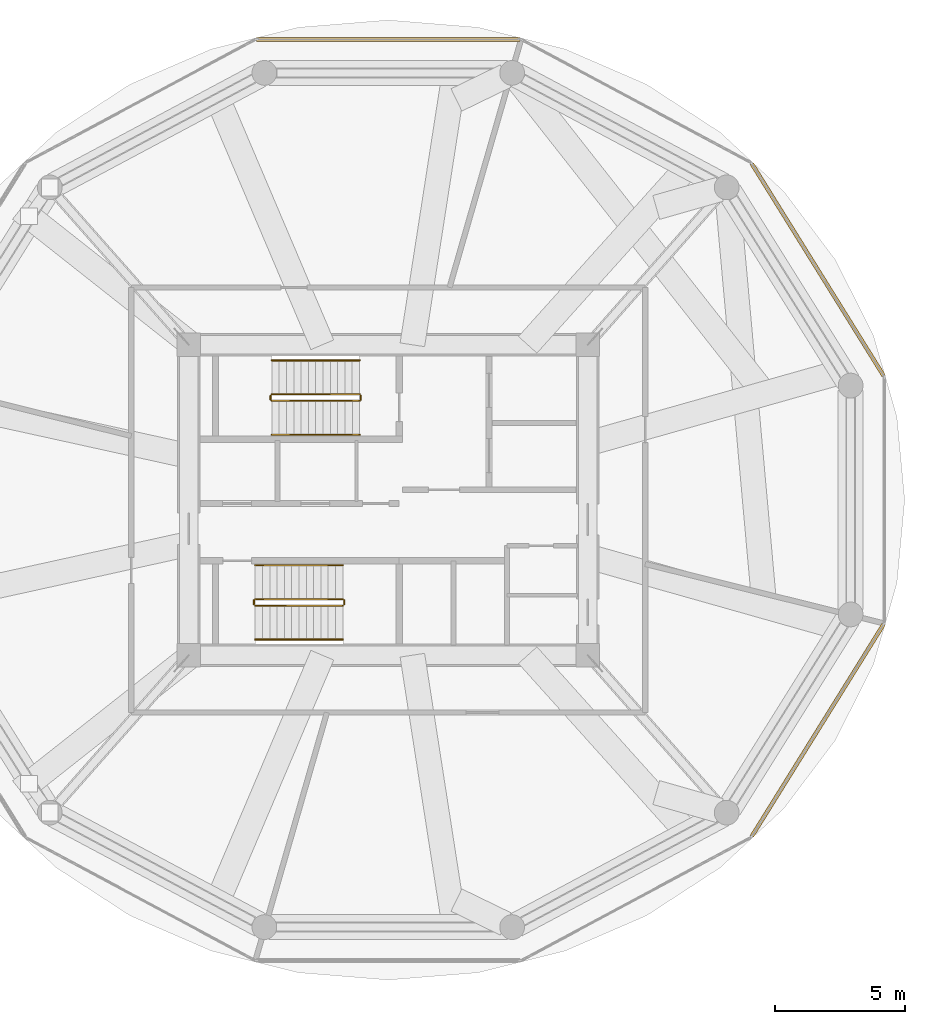
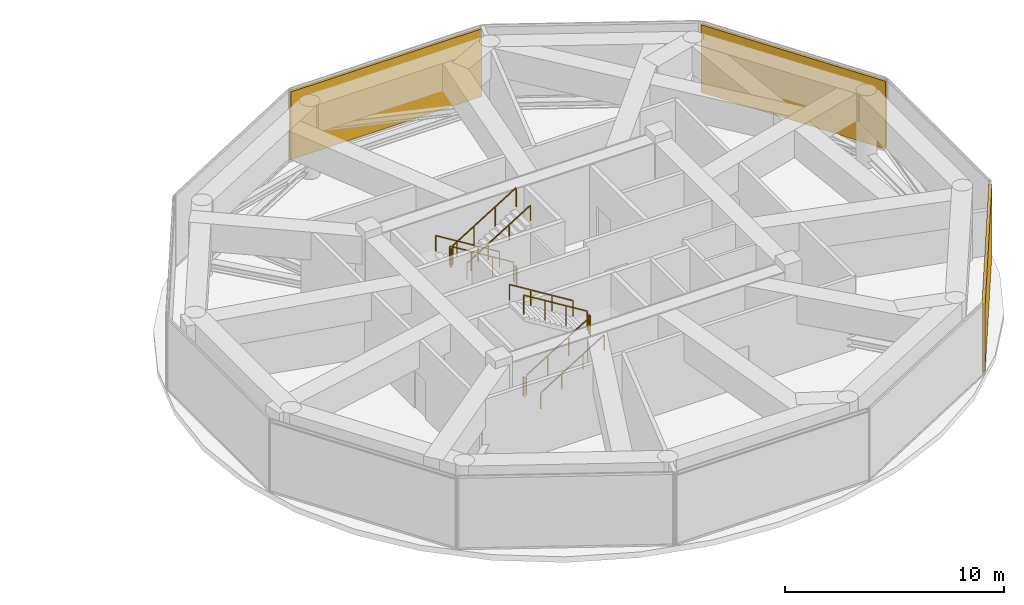
# One storey, part 22 of 22: 12 railings, 3 shading devices.
"""IFC4 building model written with IfcOpenShell, lengths in metres."""

from ifc_helpers import new_model, si_unit, direction, frame, origin, origin_2d, place, context, subcontext, project, spatial, rectangle, extrude, source, transform, mapped, material, type_object, type_shapes, element, save


model = new_model("IFC4")

# Units and contexts
model_context = context("Model", 3, precision=1e-05, world=origin(), true_north=direction((0.0, 1.0)))
body_context = subcontext(model_context, "Body", "Model", "MODEL_VIEW")
ifc_project = project(units=[si_unit("LENGTHUNIT", "METRE"), si_unit("AREAUNIT", "SQUARE_METRE"), si_unit("VOLUMEUNIT", "CUBIC_METRE"), si_unit("PLANEANGLEUNIT", "RADIAN"), si_unit("MASSUNIT", "GRAM", prefix="KILO")], contexts=[model_context])

# Site, building, storey
site_placement = place(None, origin())
site = spatial("IfcSite", under=ifc_project, at=site_placement, CompositionType="ELEMENT")
building_placement = place(site_placement, origin())
building = spatial("IfcBuilding", under=site, at=building_placement, Name="Norrkilde Senior Care Towers", CompositionType="ELEMENT")
storey_placement = place(building_placement, frame((0.0, 0.0, 73.449951171875)))
storey = spatial("IfcBuildingStorey", under=building, at=storey_placement, Name="L22", CompositionType="ELEMENT", Elevation=73.449951171875)

# Railings
ifc_material_1 = material(Name="Stainless Steel", Category="steel")
railing_type_1 = type_object("IfcRailingType", Name="Stair and Terrace Guardrail 1100", PredefinedType="GUARDRAIL", material=ifc_material_1)
railing_1_placement = place(storey_placement, frame((26.89990234375, 4.050048828125, 0.173095703125)))
element("IfcRailing", 1, at=railing_1_placement, inside=storey, type_object=railing_type_1, Name="L22 ST-E1 stair guard 1", PredefinedType="GUARDRAIL", context=body_context, shape_type="SweptSolid", body=[
    extrude(rectangle(XDim=0.048095703125, YDim=0.048095703125, at=origin_2d()), frame((0.0, 0.0, 1.076171875), z_axis=(-0.850606129759, 0.0, 0.525803396734), x_axis=(0.0, -1.0, 0.0)), (0.0, 0.0, 1.0), 3.949951171875),
    extrude(rectangle(XDim=0.0419921875, YDim=0.0419921875, at=origin_2d()), origin(), (0.0, 0.0, 1.0), 1.050048828125),
    extrude(rectangle(XDim=0.0419921875, YDim=0.0419921875, at=origin_2d()), frame((-1.119873046875, 0.0, 0.6923828125)), (0.0, 0.0, 1.0), 1.050048828125),
    extrude(rectangle(XDim=0.0419921875, YDim=0.0419921875, at=origin_2d()), frame((-2.239990234375, 0.0, 1.384521484375)), (0.0, 0.0, 1.0), 1.050048828125),
    extrude(rectangle(XDim=0.0419921875, YDim=0.0419921875, at=origin_2d()), frame((-3.35986328125, 0.0, 2.076904296875)), (0.0, 0.0, 1.0), 1.050048828125),
])
railing_2_placement = place(storey_placement, frame((23.489990234375, 4.0, 2.25)))
element("IfcRailing", 2, at=railing_2_placement, inside=storey, type_object=railing_type_1, Name="L22 ST-E1 stair guard 2", PredefinedType="GUARDRAIL", context=body_context, shape_type="SweptSolid", body=[
    extrude(rectangle(XDim=0.048095703125, YDim=0.048095703125, at=origin_2d()), frame((0.0, 0.0, 1.076171875), z_axis=(0.0, -1.0, 0.0), x_axis=(1.0, 0.0, 0.0)), (0.0, 0.0, 1.0), 0.14990234375),
    extrude(rectangle(XDim=0.0419921875, YDim=0.0419921875, at=origin_2d()), origin(), (0.0, 0.0, 1.0), 1.050048828125),
    extrude(rectangle(XDim=0.0419921875, YDim=0.0419921875, at=origin_2d()), frame((0.0, -0.14990234375, 0.0)), (0.0, 0.0, 1.0), 1.050048828125),
])
railing_3_placement = place(storey_placement, frame((23.5400390625, 3.800048828125, 2.423095703125)))
element("IfcRailing", 3, at=railing_3_placement, inside=storey, type_object=railing_type_1, Name="L22 ST-E1 stair guard 3", PredefinedType="GUARDRAIL", context=body_context, shape_type="SweptSolid", body=[
    extrude(rectangle(XDim=0.048095703125, YDim=0.048095703125, at=origin_2d()), frame((0.0, 0.0, 1.076171875), z_axis=(0.850606129759, 0.0, 0.525803396734), x_axis=(0.0, 1.0, 0.0)), (0.0, 0.0, 1.0), 3.949951171875),
    extrude(rectangle(XDim=0.0419921875, YDim=0.0419921875, at=origin_2d()), origin(), (0.0, 0.0, 1.0), 1.050048828125),
    extrude(rectangle(XDim=0.0419921875, YDim=0.0419921875, at=origin_2d()), frame((1.119873046875, 0.0, 0.6923828125)), (0.0, 0.0, 1.0), 1.050048828125),
    extrude(rectangle(XDim=0.0419921875, YDim=0.0419921875, at=origin_2d()), frame((2.239990234375, 0.0, 1.384521484375)), (0.0, 0.0, 1.0), 1.050048828125),
    extrude(rectangle(XDim=0.0419921875, YDim=0.0419921875, at=origin_2d()), frame((3.35986328125, 0.0, 2.076904296875)), (0.0, 0.0, 1.0), 1.050048828125),
])
railing_4_placement = place(storey_placement, frame((26.949951171875, 4.0, 0.0)))
element("IfcRailing", 4, at=railing_4_placement, inside=storey, type_object=railing_type_1, Name="L22 ST-E1 stair guard 4", PredefinedType="GUARDRAIL", context=body_context, shape_type="SweptSolid", body=[
    extrude(rectangle(XDim=0.048095703125, YDim=0.048095703125, at=origin_2d()), frame((0.0, 0.0, 1.076171875), z_axis=(0.0, -1.0, 0.0), x_axis=(1.0, 0.0, 0.0)), (0.0, 0.0, 1.0), 0.14990234375),
    extrude(rectangle(XDim=0.0419921875, YDim=0.0419921875, at=origin_2d()), origin(), (0.0, 0.0, 1.0), 1.050048828125),
    extrude(rectangle(XDim=0.0419921875, YDim=0.0419921875, at=origin_2d()), frame((0.0, -0.14990234375, 0.0)), (0.0, 0.0, 1.0), 1.050048828125),
])
railing_5_placement = place(storey_placement, frame((22.89990234375, -4.050048828125, 0.173095703125)))
element("IfcRailing", 5, at=railing_5_placement, inside=storey, type_object=railing_type_1, Name="L22 ST-E2 stair guard 1", PredefinedType="GUARDRAIL", context=body_context, shape_type="SweptSolid", body=[
    extrude(rectangle(XDim=0.048095703125, YDim=0.048095703125, at=origin_2d()), frame((0.0, 0.0, 1.076171875), z_axis=(0.850623216509, 0.0, 0.525775754039), x_axis=(0.0, 1.0, 0.0)), (0.0, 0.0, 1.0), 3.9501953125),
    extrude(rectangle(XDim=0.0419921875, YDim=0.0419921875, at=origin_2d()), origin(), (0.0, 0.0, 1.0), 1.050048828125),
    extrude(rectangle(XDim=0.0419921875, YDim=0.0419921875, at=origin_2d()), frame((1.1201171875, 0.0, 0.6923828125)), (0.0, 0.0, 1.0), 1.050048828125),
    extrude(rectangle(XDim=0.0419921875, YDim=0.0419921875, at=origin_2d()), frame((2.239990234375, 0.0, 1.384521484375)), (0.0, 0.0, 1.0), 1.050048828125),
    extrude(rectangle(XDim=0.0419921875, YDim=0.0419921875, at=origin_2d()), frame((3.360107421875, 0.0, 2.076904296875)), (0.0, 0.0, 1.0), 1.050048828125),
])
railing_6_placement = place(storey_placement, frame((26.31005859375, -4.0, 2.25)))
element("IfcRailing", 6, at=railing_6_placement, inside=storey, type_object=railing_type_1, Name="L22 ST-E2 stair guard 2", PredefinedType="GUARDRAIL", context=body_context, shape_type="SweptSolid", body=[
    extrude(rectangle(XDim=0.048095703125, YDim=0.048095703125, at=origin_2d()), frame((0.0, 0.0, 1.076171875), z_axis=(0.0, 1.0, 0.0), x_axis=(-1.0, 0.0, 0.0)), (0.0, 0.0, 1.0), 0.14990234375),
    extrude(rectangle(XDim=0.0419921875, YDim=0.0419921875, at=origin_2d()), origin(), (0.0, 0.0, 1.0), 1.050048828125),
    extrude(rectangle(XDim=0.0419921875, YDim=0.0419921875, at=origin_2d()), frame((0.0, 0.14990234375, 0.0)), (0.0, 0.0, 1.0), 1.050048828125),
])
railing_7_placement = place(storey_placement, frame((26.260009765625, -3.800048828125, 2.423095703125)))
element("IfcRailing", 7, at=railing_7_placement, inside=storey, type_object=railing_type_1, Name="L22 ST-E2 stair guard 3", PredefinedType="GUARDRAIL", context=body_context, shape_type="SweptSolid", body=[
    extrude(rectangle(XDim=0.048095703125, YDim=0.048095703125, at=origin_2d()), frame((0.0, 0.0, 1.076171875), z_axis=(-0.850623216509, 0.0, 0.525775754039), x_axis=(0.0, -1.0, 0.0)), (0.0, 0.0, 1.0), 3.9501953125),
    extrude(rectangle(XDim=0.0419921875, YDim=0.0419921875, at=origin_2d()), origin(), (0.0, 0.0, 1.0), 1.050048828125),
    extrude(rectangle(XDim=0.0419921875, YDim=0.0419921875, at=origin_2d()), frame((-1.1201171875, 0.0, 0.6923828125)), (0.0, 0.0, 1.0), 1.050048828125),
    extrude(rectangle(XDim=0.0419921875, YDim=0.0419921875, at=origin_2d()), frame((-2.239990234375, 0.0, 1.384521484375)), (0.0, 0.0, 1.0), 1.050048828125),
    extrude(rectangle(XDim=0.0419921875, YDim=0.0419921875, at=origin_2d()), frame((-3.360107421875, 0.0, 2.076904296875)), (0.0, 0.0, 1.0), 1.050048828125),
])
railing_8_placement = place(storey_placement, frame((22.85009765625, -4.0, 0.0)))
element("IfcRailing", 8, at=railing_8_placement, inside=storey, type_object=railing_type_1, Name="L22 ST-E2 stair guard 4", PredefinedType="GUARDRAIL", context=body_context, shape_type="SweptSolid", body=[
    extrude(rectangle(XDim=0.048095703125, YDim=0.048095703125, at=origin_2d()), frame((0.0, 0.0, 1.076171875), z_axis=(0.0, 1.0, 0.0), x_axis=(-1.0, 0.0, 0.0)), (0.0, 0.0, 1.0), 0.14990234375),
    extrude(rectangle(XDim=0.0419921875, YDim=0.0419921875, at=origin_2d()), origin(), (0.0, 0.0, 1.0), 1.050048828125),
    extrude(rectangle(XDim=0.0419921875, YDim=0.0419921875, at=origin_2d()), frame((0.0, 0.14990234375, 0.0)), (0.0, 0.0, 1.0), 1.050048828125),
])
ifc_material_2 = material(Name="Nordic Ash Timber", Category="wood")
railing_type_2 = type_object("IfcRailingType", Name="Wall and Stair Handrail 900", PredefinedType="HANDRAIL", material=ifc_material_2)
railing_9_placement = place(storey_placement, frame((26.89990234375, 5.35009765625, 0.173095703125)))
element("IfcRailing", 9, at=railing_9_placement, inside=storey, type_object=railing_type_2, Name="L22 ST-E1 stair handrail 1", PredefinedType="HANDRAIL", context=body_context, shape_type="SweptSolid", body=[
    extrude(rectangle(XDim=0.048095703125, YDim=0.048095703125, at=origin_2d()), frame((0.0, 0.0, 0.8759765625), z_axis=(-0.850606129759, 0.0, 0.525803396734), x_axis=(0.0, -1.0, 0.0)), (0.0, 0.0, 1.0), 3.949951171875),
    extrude(rectangle(XDim=0.0419921875, YDim=0.0419921875, at=origin_2d()), origin(), (0.0, 0.0, 1.0), 0.849853515625),
    extrude(rectangle(XDim=0.0419921875, YDim=0.0419921875, at=origin_2d()), frame((-1.119873046875, 0.0, 0.6923828125)), (0.0, 0.0, 1.0), 0.849853515625),
    extrude(rectangle(XDim=0.0419921875, YDim=0.0419921875, at=origin_2d()), frame((-2.239990234375, 0.0, 1.384521484375)), (0.0, 0.0, 1.0), 0.849853515625),
    extrude(rectangle(XDim=0.0419921875, YDim=0.0419921875, at=origin_2d()), frame((-3.35986328125, 0.0, 2.076904296875)), (0.0, 0.0, 1.0), 0.849853515625),
])
railing_10_placement = place(storey_placement, frame((23.5400390625, 2.5, 2.423095703125)))
element("IfcRailing", 10, at=railing_10_placement, inside=storey, type_object=railing_type_2, Name="L22 ST-E1 stair handrail 2", PredefinedType="HANDRAIL", context=body_context, shape_type="SweptSolid", body=[
    extrude(rectangle(XDim=0.048095703125, YDim=0.048095703125, at=origin_2d()), frame((0.0, 0.0, 0.8759765625), z_axis=(0.850606129759, 0.0, 0.525803396734), x_axis=(0.0, 1.0, 0.0)), (0.0, 0.0, 1.0), 3.949951171875),
    extrude(rectangle(XDim=0.0419921875, YDim=0.0419921875, at=origin_2d()), origin(), (0.0, 0.0, 1.0), 0.849853515625),
    extrude(rectangle(XDim=0.0419921875, YDim=0.0419921875, at=origin_2d()), frame((1.119873046875, 0.0, 0.6923828125)), (0.0, 0.0, 1.0), 0.849853515625),
    extrude(rectangle(XDim=0.0419921875, YDim=0.0419921875, at=origin_2d()), frame((2.239990234375, 0.0, 1.384521484375)), (0.0, 0.0, 1.0), 0.849853515625),
    extrude(rectangle(XDim=0.0419921875, YDim=0.0419921875, at=origin_2d()), frame((3.35986328125, 0.0, 2.076904296875)), (0.0, 0.0, 1.0), 0.849853515625),
])
railing_11_placement = place(storey_placement, frame((22.89990234375, -5.35009765625, 0.173095703125)))
element("IfcRailing", 11, at=railing_11_placement, inside=storey, type_object=railing_type_2, Name="L22 ST-E2 stair handrail 1", PredefinedType="HANDRAIL", context=body_context, shape_type="SweptSolid", body=[
    extrude(rectangle(XDim=0.048095703125, YDim=0.048095703125, at=origin_2d()), frame((0.0, 0.0, 0.8759765625), z_axis=(0.850623216509, 0.0, 0.525775754039), x_axis=(0.0, 1.0, 0.0)), (0.0, 0.0, 1.0), 3.9501953125),
    extrude(rectangle(XDim=0.0419921875, YDim=0.0419921875, at=origin_2d()), origin(), (0.0, 0.0, 1.0), 0.849853515625),
    extrude(rectangle(XDim=0.0419921875, YDim=0.0419921875, at=origin_2d()), frame((1.1201171875, 0.0, 0.6923828125)), (0.0, 0.0, 1.0), 0.849853515625),
    extrude(rectangle(XDim=0.0419921875, YDim=0.0419921875, at=origin_2d()), frame((2.239990234375, 0.0, 1.384521484375)), (0.0, 0.0, 1.0), 0.849853515625),
    extrude(rectangle(XDim=0.0419921875, YDim=0.0419921875, at=origin_2d()), frame((3.360107421875, 0.0, 2.076904296875)), (0.0, 0.0, 1.0), 0.849853515625),
])
railing_12_placement = place(storey_placement, frame((26.260009765625, -2.5, 2.423095703125)))
element("IfcRailing", 12, at=railing_12_placement, inside=storey, type_object=railing_type_2, Name="L22 ST-E2 stair handrail 2", PredefinedType="HANDRAIL", context=body_context, shape_type="SweptSolid", body=[
    extrude(rectangle(XDim=0.048095703125, YDim=0.048095703125, at=origin_2d()), frame((0.0, 0.0, 0.8759765625), z_axis=(-0.850623216509, 0.0, 0.525775754039), x_axis=(0.0, -1.0, 0.0)), (0.0, 0.0, 1.0), 3.9501953125),
    extrude(rectangle(XDim=0.0419921875, YDim=0.0419921875, at=origin_2d()), origin(), (0.0, 0.0, 1.0), 0.849853515625),
    extrude(rectangle(XDim=0.0419921875, YDim=0.0419921875, at=origin_2d()), frame((-1.1201171875, 0.0, 0.6923828125)), (0.0, 0.0, 1.0), 0.849853515625),
    extrude(rectangle(XDim=0.0419921875, YDim=0.0419921875, at=origin_2d()), frame((-2.239990234375, 0.0, 1.384521484375)), (0.0, 0.0, 1.0), 0.849853515625),
    extrude(rectangle(XDim=0.0419921875, YDim=0.0419921875, at=origin_2d()), frame((-3.360107421875, 0.0, 2.076904296875)), (0.0, 0.0, 1.0), 0.849853515625),
])

# Shading devices
ifc_material_3 = material(Name="Anodised Aluminium", Category="aluminium")
shading_device_type = type_object("IfcShadingDeviceType", Name="Plant and Crown Acoustic Louvre Screen", PredefinedType="JALOUSIE", material=ifc_material_3)
shared_shape_1 = source(origin(), body_context, "Body", "SweptSolid", [
    extrude(rectangle(XDim=9.568603515625, YDim=0.14990234375, at=origin_2d()), origin(), (0.0, 0.0, 1.0), 3.780029296875),
])
for number, where, z_axis, x_axis, name in (
    (13, (44.462646484375, 8.82861328125, 0.14990234375), (0.0, 0.0, 1.0), (0.527900951871, -0.849305943117, 0.0), "L22 Plant Acoustic Louvre Screen E-00"),
    (14, (44.462646484375, -8.82861328125, 0.14990234375), (0.0, 0.0, 1.0), (-0.527900951871, -0.849305943117, 0.0), "L22 Plant Acoustic Louvre Screen E-10"),
):
    element("IfcShadingDevice", number, at=place(storey_placement, frame(where, z_axis=z_axis, x_axis=x_axis)), inside=storey, type_object=shading_device_type, Name=name, PredefinedType="JALOUSIE", context=body_context, shape_type="MappedRepresentation", body=[
        mapped(shared_shape_1, transform((0.0, 0.0, 0.0), x_axis=(1.0, 0.0, 0.0), y_axis=(0.0, 1.0, 0.0), z_axis=(0.0, 0.0, 1.0), scale=1.0)),
    ])
shared_shape_2 = source(origin(), body_context, "Body", "SweptSolid", [
    extrude(rectangle(XDim=10.107177734375, YDim=0.14990234375, at=origin_2d()), origin(), (0.0, 0.0, 1.0), 3.780029296875),
])
type_shapes(shading_device_type, [shared_shape_1, shared_shape_2])
shading_device_placement = place(storey_placement, frame((28.0, 17.6572265625, 0.14990234375), z_axis=(0.0, 0.0, 1.0), x_axis=(1.0, 0.0, 0.0)))
element("IfcShadingDevice", 15, at=shading_device_placement, inside=storey, type_object=shading_device_type, Name="L22 Plant Acoustic Louvre Screen E-02", PredefinedType="JALOUSIE", context=body_context, shape_type="MappedRepresentation", body=[
    mapped(shared_shape_2, transform((0.0, 0.0, 0.0), x_axis=(1.0, 0.0, 0.0), y_axis=(0.0, 1.0, 0.0), z_axis=(0.0, 0.0, 1.0), scale=1.0)),
])

save(model, "model.ifc")
